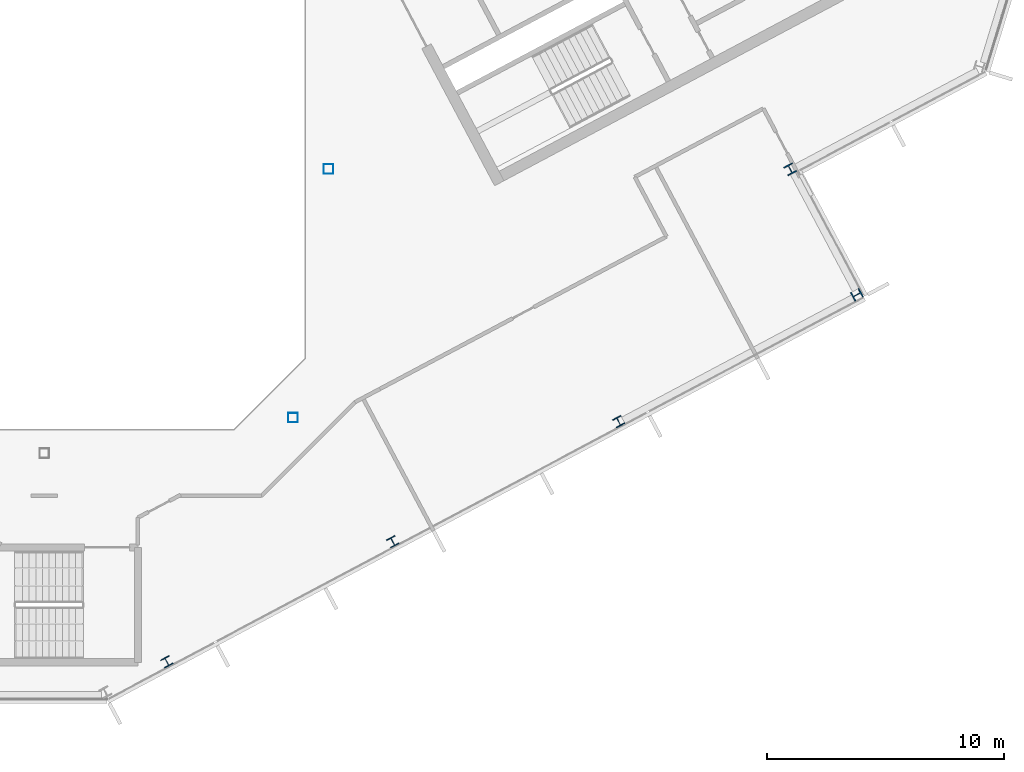
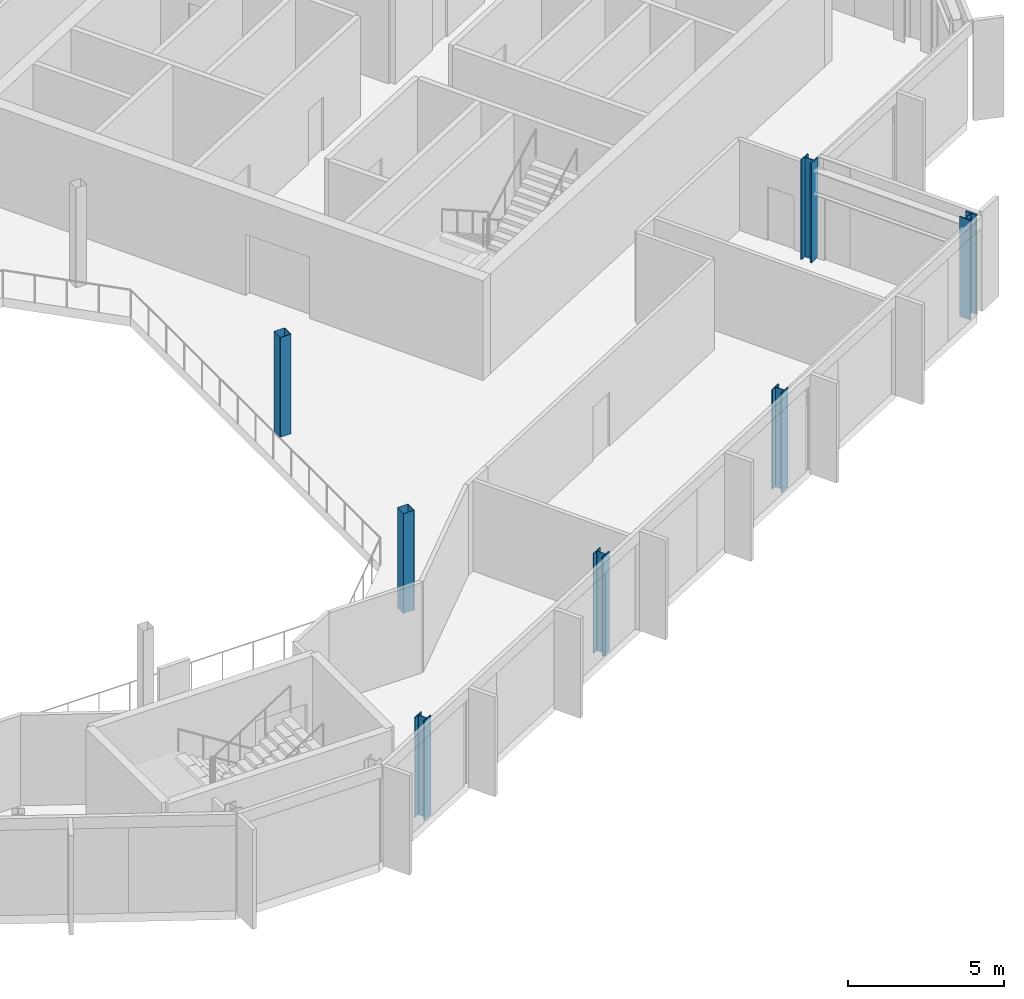
# One storey, part 5 of 26: 7 columns.
"""IFC4 building model written with IfcOpenShell, lengths in metres."""

from ifc_helpers import new_model, si_unit, direction, frame, origin, origin_2d, place, context, subcontext, project, spatial, hollow_rectangle, i_section, extrude, material, material_profile, profile_set, type_object, element, save


model = new_model("IFC4")

# Units and contexts
model_context = context("Model", 3, precision=1e-05, world=origin(), true_north=direction((0.0, 1.0)))
body_context = subcontext(model_context, "Body", "Model", "MODEL_VIEW")
ifc_project = project(units=[si_unit("LENGTHUNIT", "METRE"), si_unit("AREAUNIT", "SQUARE_METRE"), si_unit("VOLUMEUNIT", "CUBIC_METRE"), si_unit("PLANEANGLEUNIT", "RADIAN"), si_unit("MASSUNIT", "GRAM", prefix="KILO")], contexts=[model_context])

# Site, building, storey
site_placement = place(None, origin())
site = spatial("IfcSite", under=ifc_project, at=site_placement, CompositionType="ELEMENT")
building_placement = place(site_placement, origin())
building = spatial("IfcBuilding", under=site, at=building_placement, Name="Cormorant Relay Tower", CompositionType="ELEMENT")
storey_placement = place(building_placement, frame((0.0, 0.0, 285.300048828125)))
storey = spatial("IfcBuildingStorey", under=building, at=storey_placement, Name="L64", CompositionType="ELEMENT", Elevation=285.300048828125)

# Columns
ifc_material_1 = material(Name="Steel ASTM A500 Grade C (Fy 345 MPa)", Category="steel")
ifc_material_profile_1 = material_profile(ifc_material_1, hollow_rectangle(XDim=0.406494140625, YDim=0.406494140625, WallThickness=0.0087890625, InnerFilletRadius=0.00439453125, OuterFilletRadius=0.01318359375, at=origin_2d()), Name="HSS406x406x9")
ifc_profile_set_1 = profile_set([ifc_material_profile_1], Name="Steel ASTM A500 Grade C (Fy 345 MPa)")
column_type_1 = type_object("IfcColumnType", Name="Column HSS406x406x9", PredefinedType="COLUMN", material=ifc_profile_set_1)
for number, where, z_axis, x_axis, name in (
    (1, (10.5, -10.5, 0.0), (0.0, 0.0, 1.0), (1.0, 0.0, 0.0), "Column L64-010"),
    (2, (12.0, 0.0, 0.0), (0.0, 0.0, 1.0), (1.0, 0.0, 0.0), "Column L64-016"),
):
    element("IfcColumn", number, at=place(storey_placement, frame(where, z_axis=z_axis, x_axis=x_axis)), inside=storey, type_object=column_type_1, Name=name, PredefinedType="COLUMN", context=body_context, shape_type="SweptSolid", body=[
        extrude(hollow_rectangle(XDim=0.406494140625, YDim=0.406494140625, WallThickness=0.0087890625, InnerFilletRadius=0.00439453125, OuterFilletRadius=0.01318359375, at=origin_2d()), origin(), (0.0, 0.0, 1.0), 3.89990234375),
    ])
ifc_material_2 = material(Name="Steel ASTM A992 (Fy 345 MPa)", Category="steel")
ifc_material_profile_2 = material_profile(ifc_material_2, i_section(OverallWidth=0.398681640625, OverallDepth=0.385986328125, WebThickness=0.02099609375, FlangeThickness=0.033203125, FilletRadius=0.01513671875, at=origin_2d()), Name="W360x262")
ifc_profile_set_2 = profile_set([ifc_material_profile_2], Name="Steel ASTM A992 (Fy 345 MPa)")
column_type_2 = type_object("IfcColumnType", Name="Column W360x262", PredefinedType="COLUMN", material=ifc_profile_set_2)
for number, where, z_axis, x_axis, name in (
    (3, (5.174072265625, -20.806884765625, 0.0), (0.0, 0.0, 1.0), (0.882947592859, 0.469471562786, 0.0), "Column L64-003"),
    (4, (14.7099609375, -15.736083984375, 0.0), (0.0, 0.0, 1.0), (0.882947592859, 0.469471562786, 0.0), "Column L64-005"),
    (5, (24.2451171875, -10.666015625, 0.0), (0.0, 0.0, 1.0), (0.882947592859, 0.469471562786, 0.0), "Column L64-008"),
):
    element("IfcColumn", number, at=place(storey_placement, frame(where, z_axis=z_axis, x_axis=x_axis)), inside=storey, type_object=column_type_2, Name=name, PredefinedType="COLUMN", context=body_context, shape_type="SweptSolid", body=[
        extrude(i_section(OverallWidth=0.398681640625, OverallDepth=0.385986328125, WebThickness=0.02099609375, FlangeThickness=0.033203125, FilletRadius=0.01513671875, at=origin_2d()), origin(), (0.0, 0.0, 1.0), 3.89990234375),
    ])
ifc_material_3 = material(Name="Steel ASTM A992 (Fy 345 MPa)", Category="steel")
ifc_material_profile_3 = material_profile(ifc_material_3, i_section(OverallWidth=0.40380859375, OverallDepth=0.406494140625, WebThickness=0.027099609375, FlangeThickness=0.043701171875, FilletRadius=0.01513671875, at=origin_2d()), Name="W360x347")
ifc_profile_set_3 = profile_set([ifc_material_profile_3], Name="Steel ASTM A992 (Fy 345 MPa)")
column_type_3 = type_object("IfcColumnType", Name="Column W360x347", PredefinedType="COLUMN", material=ifc_profile_set_3)
for number, where, z_axis, x_axis, name in (
    (6, (34.303955078125, -5.31201171875, 0.0), (0.0, 0.0, 1.0), (-0.469471562786, 0.882947592859, 0.0), "Column L64-012"),
    (7, (31.487060546875, -0.013916015625, 0.0), (0.0, 0.0, 1.0), (0.882947592859, 0.469471562786, 0.0), "Column L64-014"),
):
    element("IfcColumn", number, at=place(storey_placement, frame(where, z_axis=z_axis, x_axis=x_axis)), inside=storey, type_object=column_type_3, Name=name, PredefinedType="COLUMN", context=body_context, shape_type="SweptSolid", body=[
        extrude(i_section(OverallWidth=0.40380859375, OverallDepth=0.406494140625, WebThickness=0.027099609375, FlangeThickness=0.043701171875, FilletRadius=0.01513671875, at=origin_2d()), origin(), (0.0, 0.0, 1.0), 3.89990234375),
    ])

save(model, "model.ifc")
